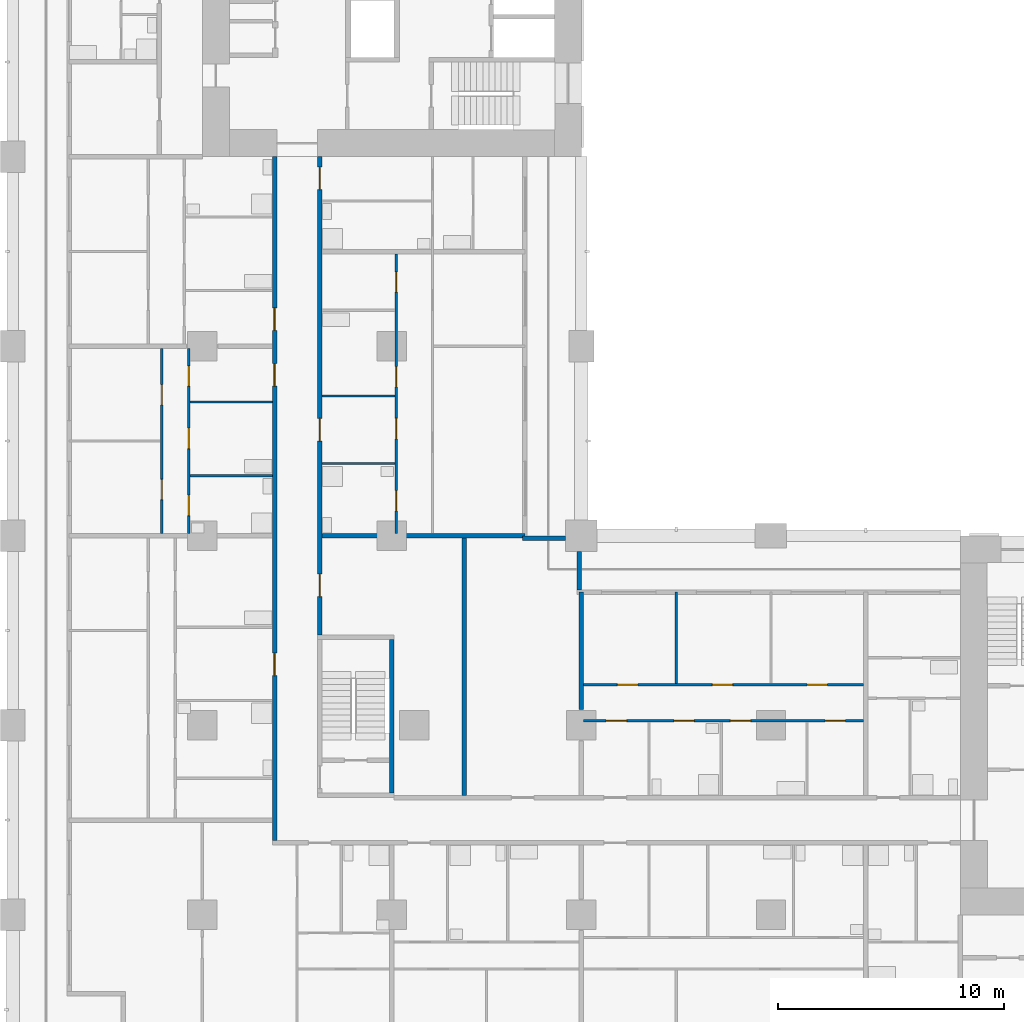
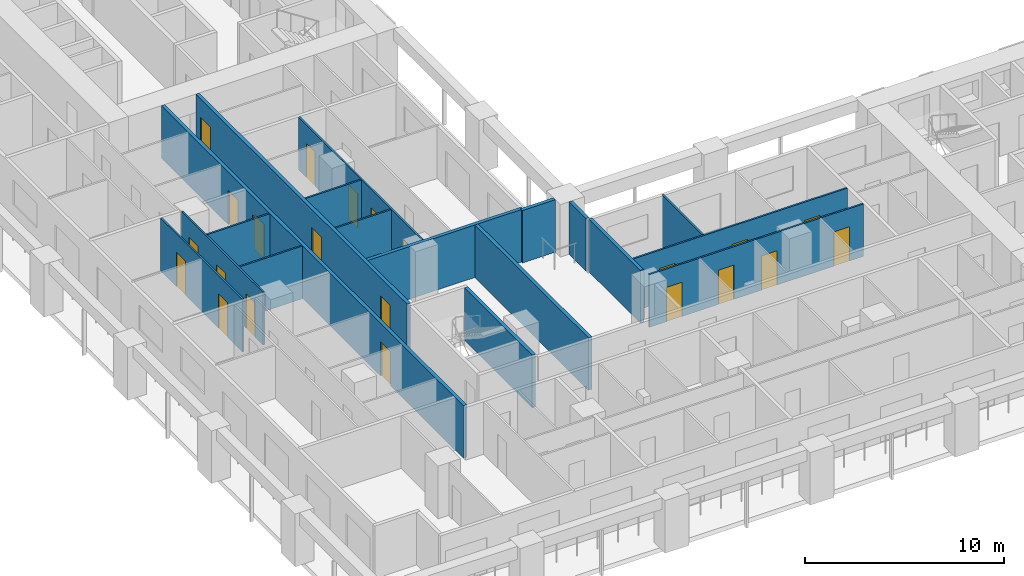
# One storey, part 4 of 19: 22 doors, 18 walls, 22 openings.
"""IFC4 building model written with IfcOpenShell, lengths in metres."""

from ifc_helpers import new_model, si_unit, direction, frame, frame_2d, origin, place, context, subcontext, project, spatial, rectangle, extrude, material, layer, layer_set, type_object, element, fill, save


model = new_model("IFC4")

# Units and contexts
model_context = context("Model", 3, precision=1e-05, world=origin(), true_north=direction((0.0, 1.0)))
body_context = subcontext(model_context, "Body", "Model", "MODEL_VIEW")
ifc_project = project(units=[si_unit("LENGTHUNIT", "METRE"), si_unit("AREAUNIT", "SQUARE_METRE"), si_unit("VOLUMEUNIT", "CUBIC_METRE"), si_unit("PLANEANGLEUNIT", "RADIAN"), si_unit("MASSUNIT", "GRAM", prefix="KILO")], contexts=[model_context])

# Site, building, storey
site_placement = place(None, origin())
site = spatial("IfcSite", under=ifc_project, at=site_placement, CompositionType="ELEMENT")
building_placement = place(site_placement, origin())
building = spatial("IfcBuilding", under=site, at=building_placement, Name="Vermilion Gate Residences", CompositionType="ELEMENT")
storey_placement = place(building_placement, frame((0.0, 0.0, 46.199951171875)))
storey = spatial("IfcBuildingStorey", under=building, at=storey_placement, Name="L10", CompositionType="ELEMENT", Elevation=46.199951171875)

# Walls
ifc_material_1 = material(Name="Insulated steel stud wall with terracotta rainscreen", Category="masonry")
ifc_layer_1 = layer(ifc_material_1, 0.199951171875)
ifc_layer_set_1 = layer_set([ifc_layer_1], Name="EXTERNAL WALL 200 TERRACOTTA RAINSCREEN")
wall_type_1 = type_object("IfcWallType", Name="EXTERNAL WALL 200 TERRACOTTA RAINSCREEN", PredefinedType="SOLIDWALL", material=ifc_layer_set_1)
wall_1_placement = place(storey_placement, frame((25.10009765625, 22.800048828125, 0.0), z_axis=(0.0, 0.0, 1.0), x_axis=(0.0, 1.0, 0.0)))
element("IfcWall", 1, at=wall_1_placement, inside=storey, type_object=wall_type_1, Name="External wall", PredefinedType="SOLIDWALL", context=body_context, shape_type="SweptSolid", body=[
    extrude(rectangle(XDim=1.699951171875, YDim=0.199951171875, at=frame_2d((0.85009765625, 0.0))), origin(), (0.0, 0.0, 1.0), 3.219970703125),
])
wall_2_placement = place(storey_placement, frame((24.5, 25.10009765625, 0.0), z_axis=(0.0, 0.0, 1.0), x_axis=(-1.0, 0.0, 0.0)))
element("IfcWall", 2, at=wall_2_placement, inside=storey, type_object=wall_type_1, Name="External wall", PredefinedType="SOLIDWALL", context=body_context, shape_type="SweptSolid", body=[
    extrude(rectangle(XDim=1.89990234375, YDim=0.199951171875, at=frame_2d((0.949951171875, 0.0))), origin(), (0.0, 0.0, 1.0), 3.219970703125),
])

# Wall, openings, doors
ifc_material_2 = material(Name="Plasterboard on steel studs", Category="steel")
ifc_layer_2 = layer(ifc_material_2, 0.10009765625)
ifc_layer_set_2 = layer_set([ifc_layer_2], Name="PARTITION 100")
wall_type_2 = type_object("IfcWallType", Name="PARTITION 100", PredefinedType="PARTITIONING", material=ifc_layer_set_2)
wall_3_placement = place(storey_placement, frame((25.300048828125, 17.0, 0.0), z_axis=(0.0, 0.0, 1.0), x_axis=(1.0, 0.0, 0.0)))
wall_3 = element("IfcWall", 3, at=wall_3_placement, inside=storey, type_object=wall_type_2, Name="Partition", PredefinedType="PARTITIONING", context=body_context, shape_type="SweptSolid", body=[
    extrude(rectangle(XDim=12.39990234375, YDim=0.10009765625, at=frame_2d((6.199951171875, 0.0))), origin(), (0.0, 0.0, 1.0), 3.219970703125),
])
opening_1_placement = place(wall_3_placement, frame((1.0, 0.0, 0.0)))
opening_1 = element("IfcOpeningElement", 4, at=opening_1_placement, cuts=wall_3, Name="Opening DA10032", PredefinedType="OPENING", context=body_context, shape_type="SweptSolid", body=[
    extrude(rectangle(XDim=0.89990234375, YDim=2.10009765625, at=frame_2d((0.449951171875, 1.050048828125))), frame((0.0, 0.06005859375, 0.0), z_axis=(0.0, -1.0, 0.0), x_axis=(1.0, 0.0, 0.0)), (0.0, 0.0, 1.0), 0.1201171875),
])
opening_2_placement = place(wall_3_placement, frame((4.0, 0.0, 0.0)))
opening_2 = element("IfcOpeningElement", 5, at=opening_2_placement, cuts=wall_3, Name="Opening DA10033", PredefinedType="OPENING", context=body_context, shape_type="SweptSolid", body=[
    extrude(rectangle(XDim=0.89990234375, YDim=2.10009765625, at=frame_2d((0.449951171875, 1.050048828125))), frame((0.0, 0.06005859375, 0.0), z_axis=(0.0, -1.0, 0.0), x_axis=(1.0, 0.0, 0.0)), (0.0, 0.0, 1.0), 0.1201171875),
])
opening_3_placement = place(wall_3_placement, frame((6.5, 0.0, 0.0)))
opening_3 = element("IfcOpeningElement", 6, at=opening_3_placement, cuts=wall_3, Name="Opening DA10034", PredefinedType="OPENING", context=body_context, shape_type="SweptSolid", body=[
    extrude(rectangle(XDim=0.89990234375, YDim=2.10009765625, at=frame_2d((0.449951171875, 1.050048828125))), frame((0.0, 0.06005859375, 0.0), z_axis=(0.0, -1.0, 0.0), x_axis=(1.0, 0.0, 0.0)), (0.0, 0.0, 1.0), 0.1201171875),
])
opening_4_placement = place(wall_3_placement, frame((10.699951171875, 0.0, 0.0)))
opening_4 = element("IfcOpeningElement", 7, at=opening_4_placement, cuts=wall_3, Name="Opening DA10035", PredefinedType="OPENING", context=body_context, shape_type="SweptSolid", body=[
    extrude(rectangle(XDim=0.89990234375, YDim=2.10009765625, at=frame_2d((0.449951171875, 1.050048828125))), frame((0.0, 0.06005859375, 0.0), z_axis=(0.0, -1.0, 0.0), x_axis=(1.0, 0.0, 0.0)), (0.0, 0.0, 1.0), 0.1201171875),
])
ifc_material_3 = material(Name="Timber", Category="wood")
door_type_1 = type_object("IfcDoorType", Name="INTERIOR DOOR 900 X 2100", OperationType="SINGLE_SWING_LEFT", PredefinedType="DOOR", material=ifc_material_3)
door_1_placement = place(opening_1_placement, frame((0.89990234375, 0.0, 0.0), z_axis=(0.0, 0.0, 1.0), x_axis=(-1.0, 0.0, 0.0)))
door_1 = element("IfcDoor", 8, at=door_1_placement, inside=storey, type_object=door_type_1, Name="Interior door", OperationType="SINGLE_SWING_RIGHT", OverallHeight=2.10009765625, OverallWidth=0.89990234375, PredefinedType="DOOR", context=body_context, shape_type="SweptSolid", body=[
    extrude(rectangle(XDim=0.89990234375, YDim=2.10009765625, at=frame_2d((0.449951171875, 1.050048828125))), frame((0.0, 0.02490234375, 0.0), z_axis=(0.0, -1.0, 0.0), x_axis=(1.0, 0.0, 0.0)), (0.0, 0.0, 1.0), 0.050048828125),
])
fill(opening_1, door_1)
door_2_placement = place(opening_2_placement, frame((0.89990234375, 0.0, 0.0), z_axis=(0.0, 0.0, 1.0), x_axis=(-1.0, 0.0, 0.0)))
door_2 = element("IfcDoor", 9, at=door_2_placement, inside=storey, type_object=door_type_1, Name="Interior door", OperationType="SINGLE_SWING_LEFT", OverallHeight=2.10009765625, OverallWidth=0.89990234375, PredefinedType="DOOR", context=body_context, shape_type="SweptSolid", body=[
    extrude(rectangle(XDim=0.89990234375, YDim=2.10009765625, at=frame_2d((0.449951171875, 1.050048828125))), frame((0.0, 0.02490234375, 0.0), z_axis=(0.0, -1.0, 0.0), x_axis=(1.0, 0.0, 0.0)), (0.0, 0.0, 1.0), 0.050048828125),
])
fill(opening_2, door_2)
door_3_placement = place(opening_3_placement, frame((0.89990234375, 0.0, 0.0), z_axis=(0.0, 0.0, 1.0), x_axis=(-1.0, 0.0, 0.0)))
door_3 = element("IfcDoor", 10, at=door_3_placement, inside=storey, type_object=door_type_1, Name="Interior door", OperationType="SINGLE_SWING_LEFT", OverallHeight=2.10009765625, OverallWidth=0.89990234375, PredefinedType="DOOR", context=body_context, shape_type="SweptSolid", body=[
    extrude(rectangle(XDim=0.89990234375, YDim=2.10009765625, at=frame_2d((0.449951171875, 1.050048828125))), frame((0.0, 0.02490234375, 0.0), z_axis=(0.0, -1.0, 0.0), x_axis=(1.0, 0.0, 0.0)), (0.0, 0.0, 1.0), 0.050048828125),
])
fill(opening_3, door_3)
door_4_placement = place(opening_4_placement, frame((0.89990234375, 0.0, 0.0), z_axis=(0.0, 0.0, 1.0), x_axis=(-1.0, 0.0, 0.0)))
door_4 = element("IfcDoor", 11, at=door_4_placement, inside=storey, type_object=door_type_1, Name="Interior door", OperationType="SINGLE_SWING_RIGHT", OverallHeight=2.10009765625, OverallWidth=0.89990234375, PredefinedType="DOOR", context=body_context, shape_type="SweptSolid", body=[
    extrude(rectangle(XDim=0.89990234375, YDim=2.10009765625, at=frame_2d((0.449951171875, 1.050048828125))), frame((0.0, 0.02490234375, 0.0), z_axis=(0.0, -1.0, 0.0), x_axis=(1.0, 0.0, 0.0)), (0.0, 0.0, 1.0), 0.050048828125),
])
fill(opening_4, door_4)

wall_4_placement = place(storey_placement, frame((25.300048828125, 18.60009765625, 0.0), z_axis=(0.0, 0.0, 1.0), x_axis=(1.0, 0.0, 0.0)))
wall_4 = element("IfcWall", 12, at=wall_4_placement, inside=storey, type_object=wall_type_2, Name="Partition", PredefinedType="PARTITIONING", context=body_context, shape_type="SweptSolid", body=[
    extrude(rectangle(XDim=12.39990234375, YDim=0.10009765625, at=frame_2d((6.199951171875, 0.0))), origin(), (0.0, 0.0, 1.0), 3.219970703125),
])
opening_5_placement = place(wall_4_placement, frame((1.5, 0.0, 0.0)))
opening_5 = element("IfcOpeningElement", 13, at=opening_5_placement, cuts=wall_4, Name="Opening DA10038", PredefinedType="OPENING", context=body_context, shape_type="SweptSolid", body=[
    extrude(rectangle(XDim=0.89990234375, YDim=2.10009765625, at=frame_2d((0.449951171875, 1.050048828125))), frame((0.0, 0.06005859375, 0.0), z_axis=(0.0, -1.0, 0.0), x_axis=(1.0, 0.0, 0.0)), (0.0, 0.0, 1.0), 0.1201171875),
])
opening_6_placement = place(wall_4_placement, frame((5.699951171875, 0.0, 0.0)))
opening_6 = element("IfcOpeningElement", 14, at=opening_6_placement, cuts=wall_4, Name="Opening DA10039", PredefinedType="OPENING", context=body_context, shape_type="SweptSolid", body=[
    extrude(rectangle(XDim=0.89990234375, YDim=2.10009765625, at=frame_2d((0.449951171875, 1.050048828125))), frame((0.0, 0.06005859375, 0.0), z_axis=(0.0, -1.0, 0.0), x_axis=(1.0, 0.0, 0.0)), (0.0, 0.0, 1.0), 0.1201171875),
])
opening_7_placement = place(wall_4_placement, frame((9.89990234375, 0.0, 0.0)))
opening_7 = element("IfcOpeningElement", 15, at=opening_7_placement, cuts=wall_4, Name="Opening DA10040", PredefinedType="OPENING", context=body_context, shape_type="SweptSolid", body=[
    extrude(rectangle(XDim=0.89990234375, YDim=2.10009765625, at=frame_2d((0.449951171875, 1.050048828125))), frame((0.0, 0.06005859375, 0.0), z_axis=(0.0, -1.0, 0.0), x_axis=(1.0, 0.0, 0.0)), (0.0, 0.0, 1.0), 0.1201171875),
])
door_5_placement = place(opening_5_placement, origin())
door_5 = element("IfcDoor", 16, at=door_5_placement, inside=storey, type_object=door_type_1, Name="Interior door", OperationType="SINGLE_SWING_LEFT", OverallHeight=2.10009765625, OverallWidth=0.89990234375, PredefinedType="DOOR", context=body_context, shape_type="SweptSolid", body=[
    extrude(rectangle(XDim=0.89990234375, YDim=2.10009765625, at=frame_2d((0.449951171875, 1.050048828125))), frame((0.0, 0.02490234375, 0.0), z_axis=(0.0, -1.0, 0.0), x_axis=(1.0, 0.0, 0.0)), (0.0, 0.0, 1.0), 0.050048828125),
])
fill(opening_5, door_5)
door_6_placement = place(opening_6_placement, origin())
door_6 = element("IfcDoor", 17, at=door_6_placement, inside=storey, type_object=door_type_1, Name="Interior door", OperationType="SINGLE_SWING_LEFT", OverallHeight=2.10009765625, OverallWidth=0.89990234375, PredefinedType="DOOR", context=body_context, shape_type="SweptSolid", body=[
    extrude(rectangle(XDim=0.89990234375, YDim=2.10009765625, at=frame_2d((0.449951171875, 1.050048828125))), frame((0.0, 0.02490234375, 0.0), z_axis=(0.0, -1.0, 0.0), x_axis=(1.0, 0.0, 0.0)), (0.0, 0.0, 1.0), 0.050048828125),
])
fill(opening_6, door_6)
door_7_placement = place(opening_7_placement, origin())
door_7 = element("IfcDoor", 18, at=door_7_placement, inside=storey, type_object=door_type_1, Name="Interior door", OperationType="SINGLE_SWING_LEFT", OverallHeight=2.10009765625, OverallWidth=0.89990234375, PredefinedType="DOOR", context=body_context, shape_type="SweptSolid", body=[
    extrude(rectangle(XDim=0.89990234375, YDim=2.10009765625, at=frame_2d((0.449951171875, 1.050048828125))), frame((0.0, 0.02490234375, 0.0), z_axis=(0.0, -1.0, 0.0), x_axis=(1.0, 0.0, 0.0)), (0.0, 0.0, 1.0), 0.050048828125),
])
fill(opening_7, door_7)

# Walls
wall_5_placement = place(storey_placement, frame((7.85009765625, 27.866943359375, 0.0), z_axis=(0.0, 0.0, 1.0), x_axis=(1.0, 0.0, 0.0)))
element("IfcWall", 19, at=wall_5_placement, inside=storey, type_object=wall_type_2, Name="Partition", PredefinedType="PARTITIONING", context=body_context, shape_type="SweptSolid", body=[
    extrude(rectangle(XDim=3.64990234375, YDim=0.10009765625, at=frame_2d((1.824951171875, 0.0))), origin(), (0.0, 0.0, 1.0), 3.219970703125),
])
wall_6_placement = place(storey_placement, frame((13.699951171875, 28.39990234375, 0.0), z_axis=(0.0, 0.0, 1.0), x_axis=(1.0, 0.0, 0.0)))
element("IfcWall", 20, at=wall_6_placement, inside=storey, type_object=wall_type_2, Name="Partition", PredefinedType="PARTITIONING", context=body_context, shape_type="SweptSolid", body=[
    extrude(rectangle(XDim=3.25, YDim=0.10009765625, at=frame_2d((1.625, 0.0))), origin(), (0.0, 0.0, 1.0), 3.219970703125),
])
wall_7_placement = place(storey_placement, frame((7.85009765625, 31.133056640625, 0.0), z_axis=(0.0, 0.0, 1.0), x_axis=(1.0, 0.0, 0.0)))
element("IfcWall", 21, at=wall_7_placement, inside=storey, type_object=wall_type_2, Name="Partition", PredefinedType="PARTITIONING", context=body_context, shape_type="SweptSolid", body=[
    extrude(rectangle(XDim=3.64990234375, YDim=0.10009765625, at=frame_2d((1.824951171875, 0.0))), origin(), (0.0, 0.0, 1.0), 3.219970703125),
])
wall_8_placement = place(storey_placement, frame((13.699951171875, 31.39990234375, 0.0), z_axis=(0.0, 0.0, 1.0), x_axis=(1.0, 0.0, 0.0)))
element("IfcWall", 22, at=wall_8_placement, inside=storey, type_object=wall_type_2, Name="Partition", PredefinedType="PARTITIONING", context=body_context, shape_type="SweptSolid", body=[
    extrude(rectangle(XDim=3.25, YDim=0.10009765625, at=frame_2d((1.625, 0.0))), origin(), (0.0, 0.0, 1.0), 3.219970703125),
])

# Wall, openings, doors
wall_9_placement = place(storey_placement, frame((6.60009765625, 25.300048828125, 0.0), z_axis=(0.0, 0.0, 1.0), x_axis=(0.0, 1.0, 0.0)))
wall_9 = element("IfcWall", 23, at=wall_9_placement, inside=storey, type_object=wall_type_2, Name="Partition", PredefinedType="PARTITIONING", context=body_context, shape_type="SweptSolid", body=[
    extrude(rectangle(XDim=8.199951171875, YDim=0.10009765625, at=frame_2d((4.10009765625, 0.0))), origin(), (0.0, 0.0, 1.0), 3.219970703125),
])
opening_8_placement = place(wall_9_placement, frame((1.5, 0.0, 0.0)))
opening_8 = element("IfcOpeningElement", 24, at=opening_8_placement, cuts=wall_9, Name="Opening DA10051", PredefinedType="OPENING", context=body_context, shape_type="SweptSolid", body=[
    extrude(rectangle(XDim=0.89990234375, YDim=2.10009765625, at=frame_2d((0.449951171875, 1.050048828125))), frame((0.0, 0.06005859375, 0.0), z_axis=(0.0, -1.0, 0.0), x_axis=(1.0, 0.0, 0.0)), (0.0, 0.0, 1.0), 0.1201171875),
])
opening_9_placement = place(wall_9_placement, frame((5.699951171875, 0.0, 0.0)))
opening_9 = element("IfcOpeningElement", 25, at=opening_9_placement, cuts=wall_9, Name="Opening DA10052", PredefinedType="OPENING", context=body_context, shape_type="SweptSolid", body=[
    extrude(rectangle(XDim=0.89990234375, YDim=2.10009765625, at=frame_2d((0.449951171875, 1.050048828125))), frame((0.0, 0.06005859375, 0.0), z_axis=(0.0, -1.0, 0.0), x_axis=(1.0, 0.0, 0.0)), (0.0, 0.0, 1.0), 0.1201171875),
])
door_8_placement = place(opening_8_placement, origin())
door_8 = element("IfcDoor", 26, at=door_8_placement, inside=storey, type_object=door_type_1, Name="Interior door", OperationType="SINGLE_SWING_LEFT", OverallHeight=2.10009765625, OverallWidth=0.89990234375, PredefinedType="DOOR", context=body_context, shape_type="SweptSolid", body=[
    extrude(rectangle(XDim=0.89990234375, YDim=2.10009765625, at=frame_2d((0.449951171875, 1.050048828125))), frame((0.0, 0.02490234375, 0.0), z_axis=(0.0, -1.0, 0.0), x_axis=(1.0, 0.0, 0.0)), (0.0, 0.0, 1.0), 0.050048828125),
])
fill(opening_8, door_8)
door_9_placement = place(opening_9_placement, origin())
door_9 = element("IfcDoor", 27, at=door_9_placement, inside=storey, type_object=door_type_1, Name="Interior door", OperationType="SINGLE_SWING_LEFT", OverallHeight=2.10009765625, OverallWidth=0.89990234375, PredefinedType="DOOR", context=body_context, shape_type="SweptSolid", body=[
    extrude(rectangle(XDim=0.89990234375, YDim=2.10009765625, at=frame_2d((0.449951171875, 1.050048828125))), frame((0.0, 0.02490234375, 0.0), z_axis=(0.0, -1.0, 0.0), x_axis=(1.0, 0.0, 0.0)), (0.0, 0.0, 1.0), 0.050048828125),
])
fill(opening_9, door_9)

wall_10_placement = place(storey_placement, frame((7.800048828125, 25.300048828125, 0.0), z_axis=(0.0, 0.0, 1.0), x_axis=(0.0, 1.0, 0.0)))
wall_10 = element("IfcWall", 28, at=wall_10_placement, inside=storey, type_object=wall_type_2, Name="Partition", PredefinedType="PARTITIONING", context=body_context, shape_type="SweptSolid", body=[
    extrude(rectangle(XDim=8.199951171875, YDim=0.10009765625, at=frame_2d((4.10009765625, 0.0))), origin(), (0.0, 0.0, 1.0), 3.219970703125),
])
opening_10_placement = place(wall_10_placement, frame((6.532958984375, 0.0, 0.0)))
opening_10 = element("IfcOpeningElement", 29, at=opening_10_placement, cuts=wall_10, Name="Opening DA10060", PredefinedType="OPENING", context=body_context, shape_type="SweptSolid", body=[
    extrude(rectangle(XDim=0.89990234375, YDim=2.10009765625, at=frame_2d((0.449951171875, 1.050048828125))), frame((0.0, 0.06005859375, 0.0), z_axis=(0.0, -1.0, 0.0), x_axis=(1.0, 0.0, 0.0)), (0.0, 0.0, 1.0), 0.1201171875),
])
opening_11_placement = place(wall_10_placement, frame((0.800048828125, 0.0, 0.0)))
opening_11 = element("IfcOpeningElement", 30, at=opening_11_placement, cuts=wall_10, Name="Opening DA10061", PredefinedType="OPENING", context=body_context, shape_type="SweptSolid", body=[
    extrude(rectangle(XDim=0.89990234375, YDim=2.10009765625, at=frame_2d((0.449951171875, 1.050048828125))), frame((0.0, 0.06005859375, 0.0), z_axis=(0.0, -1.0, 0.0), x_axis=(1.0, 0.0, 0.0)), (0.0, 0.0, 1.0), 0.1201171875),
])
opening_12_placement = place(wall_10_placement, frame((3.76708984375, 0.0, 0.0)))
opening_12 = element("IfcOpeningElement", 31, at=opening_12_placement, cuts=wall_10, Name="Opening DA10062", PredefinedType="OPENING", context=body_context, shape_type="SweptSolid", body=[
    extrude(rectangle(XDim=0.89990234375, YDim=2.10009765625, at=frame_2d((0.449951171875, 1.050048828125))), frame((0.0, 0.06005859375, 0.0), z_axis=(0.0, -1.0, 0.0), x_axis=(1.0, 0.0, 0.0)), (0.0, 0.0, 1.0), 0.1201171875),
])
door_10_placement = place(opening_10_placement, frame((0.89990234375, 0.0, 0.0), z_axis=(0.0, 0.0, 1.0), x_axis=(-1.0, 0.0, 0.0)))
door_10 = element("IfcDoor", 32, at=door_10_placement, inside=storey, type_object=door_type_1, Name="Interior door", OperationType="SINGLE_SWING_LEFT", OverallHeight=2.10009765625, OverallWidth=0.89990234375, PredefinedType="DOOR", context=body_context, shape_type="SweptSolid", body=[
    extrude(rectangle(XDim=0.89990234375, YDim=2.10009765625, at=frame_2d((0.449951171875, 1.050048828125))), frame((0.0, 0.02490234375, 0.0), z_axis=(0.0, -1.0, 0.0), x_axis=(1.0, 0.0, 0.0)), (0.0, 0.0, 1.0), 0.050048828125),
])
fill(opening_10, door_10)
door_11_placement = place(opening_11_placement, frame((0.89990234375, 0.0, 0.0), z_axis=(0.0, 0.0, 1.0), x_axis=(-1.0, 0.0, 0.0)))
door_11 = element("IfcDoor", 33, at=door_11_placement, inside=storey, type_object=door_type_1, Name="Interior door", OperationType="SINGLE_SWING_RIGHT", OverallHeight=2.10009765625, OverallWidth=0.89990234375, PredefinedType="DOOR", context=body_context, shape_type="SweptSolid", body=[
    extrude(rectangle(XDim=0.89990234375, YDim=2.10009765625, at=frame_2d((0.449951171875, 1.050048828125))), frame((0.0, 0.02490234375, 0.0), z_axis=(0.0, -1.0, 0.0), x_axis=(1.0, 0.0, 0.0)), (0.0, 0.0, 1.0), 0.050048828125),
])
fill(opening_11, door_11)
door_12_placement = place(opening_12_placement, frame((0.89990234375, 0.0, 0.0), z_axis=(0.0, 0.0, 1.0), x_axis=(-1.0, 0.0, 0.0)))
door_12 = element("IfcDoor", 34, at=door_12_placement, inside=storey, type_object=door_type_1, Name="Interior door", OperationType="SINGLE_SWING_LEFT", OverallHeight=2.10009765625, OverallWidth=0.89990234375, PredefinedType="DOOR", context=body_context, shape_type="SweptSolid", body=[
    extrude(rectangle(XDim=0.89990234375, YDim=2.10009765625, at=frame_2d((0.449951171875, 1.050048828125))), frame((0.0, 0.02490234375, 0.0), z_axis=(0.0, -1.0, 0.0), x_axis=(1.0, 0.0, 0.0)), (0.0, 0.0, 1.0), 0.050048828125),
])
fill(opening_12, door_12)

wall_11_placement = place(storey_placement, frame((17.0, 25.300048828125, 0.0), z_axis=(0.0, 0.0, 1.0), x_axis=(0.0, 1.0, 0.0)))
wall_11 = element("IfcWall", 35, at=wall_11_placement, inside=storey, type_object=wall_type_2, Name="Partition", PredefinedType="PARTITIONING", context=body_context, shape_type="SweptSolid", body=[
    extrude(rectangle(XDim=12.39990234375, YDim=0.10009765625, at=frame_2d((6.199951171875, 0.0))), origin(), (0.0, 0.0, 1.0), 3.219970703125),
])
opening_13_placement = place(wall_11_placement, frame((4.199951171875, 0.0, 0.0)))
opening_13 = element("IfcOpeningElement", 36, at=opening_13_placement, cuts=wall_11, Name="Opening DA10071", PredefinedType="OPENING", context=body_context, shape_type="SweptSolid", body=[
    extrude(rectangle(XDim=0.89990234375, YDim=2.10009765625, at=frame_2d((0.449951171875, 1.050048828125))), frame((0.0, 0.06005859375, 0.0), z_axis=(0.0, -1.0, 0.0), x_axis=(1.0, 0.0, 0.0)), (0.0, 0.0, 1.0), 0.1201171875),
])
opening_14_placement = place(wall_11_placement, frame((1.0, 0.0, 0.0)))
opening_14 = element("IfcOpeningElement", 37, at=opening_14_placement, cuts=wall_11, Name="Opening DA10072", PredefinedType="OPENING", context=body_context, shape_type="SweptSolid", body=[
    extrude(rectangle(XDim=0.89990234375, YDim=2.10009765625, at=frame_2d((0.449951171875, 1.050048828125))), frame((0.0, 0.06005859375, 0.0), z_axis=(0.0, -1.0, 0.0), x_axis=(1.0, 0.0, 0.0)), (0.0, 0.0, 1.0), 0.1201171875),
])
opening_15_placement = place(wall_11_placement, frame((6.5, 0.0, 0.0)))
opening_15 = element("IfcOpeningElement", 38, at=opening_15_placement, cuts=wall_11, Name="Opening DA10073", PredefinedType="OPENING", context=body_context, shape_type="SweptSolid", body=[
    extrude(rectangle(XDim=0.89990234375, YDim=2.10009765625, at=frame_2d((0.449951171875, 1.050048828125))), frame((0.0, 0.06005859375, 0.0), z_axis=(0.0, -1.0, 0.0), x_axis=(1.0, 0.0, 0.0)), (0.0, 0.0, 1.0), 0.1201171875),
])
opening_16_placement = place(wall_11_placement, frame((10.699951171875, 0.0, 0.0)))
opening_16 = element("IfcOpeningElement", 39, at=opening_16_placement, cuts=wall_11, Name="Opening DA10074", PredefinedType="OPENING", context=body_context, shape_type="SweptSolid", body=[
    extrude(rectangle(XDim=0.89990234375, YDim=2.10009765625, at=frame_2d((0.449951171875, 1.050048828125))), frame((0.0, 0.06005859375, 0.0), z_axis=(0.0, -1.0, 0.0), x_axis=(1.0, 0.0, 0.0)), (0.0, 0.0, 1.0), 0.1201171875),
])
door_13_placement = place(opening_13_placement, origin())
door_13 = element("IfcDoor", 40, at=door_13_placement, inside=storey, type_object=door_type_1, Name="Interior door", OperationType="SINGLE_SWING_RIGHT", OverallHeight=2.10009765625, OverallWidth=0.89990234375, PredefinedType="DOOR", context=body_context, shape_type="SweptSolid", body=[
    extrude(rectangle(XDim=0.89990234375, YDim=2.10009765625, at=frame_2d((0.449951171875, 1.050048828125))), frame((0.0, 0.02490234375, 0.0), z_axis=(0.0, -1.0, 0.0), x_axis=(1.0, 0.0, 0.0)), (0.0, 0.0, 1.0), 0.050048828125),
])
fill(opening_13, door_13)
door_14_placement = place(opening_14_placement, origin())
door_14 = element("IfcDoor", 41, at=door_14_placement, inside=storey, type_object=door_type_1, Name="Interior door", OperationType="SINGLE_SWING_LEFT", OverallHeight=2.10009765625, OverallWidth=0.89990234375, PredefinedType="DOOR", context=body_context, shape_type="SweptSolid", body=[
    extrude(rectangle(XDim=0.89990234375, YDim=2.10009765625, at=frame_2d((0.449951171875, 1.050048828125))), frame((0.0, 0.02490234375, 0.0), z_axis=(0.0, -1.0, 0.0), x_axis=(1.0, 0.0, 0.0)), (0.0, 0.0, 1.0), 0.050048828125),
])
fill(opening_14, door_14)
door_15_placement = place(opening_15_placement, origin())
door_15 = element("IfcDoor", 42, at=door_15_placement, inside=storey, type_object=door_type_1, Name="Interior door", OperationType="SINGLE_SWING_RIGHT", OverallHeight=2.10009765625, OverallWidth=0.89990234375, PredefinedType="DOOR", context=body_context, shape_type="SweptSolid", body=[
    extrude(rectangle(XDim=0.89990234375, YDim=2.10009765625, at=frame_2d((0.449951171875, 1.050048828125))), frame((0.0, 0.02490234375, 0.0), z_axis=(0.0, -1.0, 0.0), x_axis=(1.0, 0.0, 0.0)), (0.0, 0.0, 1.0), 0.050048828125),
])
fill(opening_15, door_15)
door_16_placement = place(opening_16_placement, origin())
door_16 = element("IfcDoor", 43, at=door_16_placement, inside=storey, type_object=door_type_1, Name="Interior door", OperationType="SINGLE_SWING_LEFT", OverallHeight=2.10009765625, OverallWidth=0.89990234375, PredefinedType="DOOR", context=body_context, shape_type="SweptSolid", body=[
    extrude(rectangle(XDim=0.89990234375, YDim=2.10009765625, at=frame_2d((0.449951171875, 1.050048828125))), frame((0.0, 0.02490234375, 0.0), z_axis=(0.0, -1.0, 0.0), x_axis=(1.0, 0.0, 0.0)), (0.0, 0.0, 1.0), 0.050048828125),
])
fill(opening_16, door_16)

# Walls
wall_12_placement = place(storey_placement, frame((29.39990234375, 18.64990234375, 0.0), z_axis=(0.0, 0.0, 1.0), x_axis=(0.0, 1.0, 0.0)))
element("IfcWall", 44, at=wall_12_placement, inside=storey, type_object=wall_type_2, Name="Partition", PredefinedType="PARTITIONING", context=body_context, shape_type="SweptSolid", body=[
    extrude(rectangle(XDim=4.050048828125, YDim=0.10009765625, at=frame_2d((2.02490234375, 0.0))), origin(), (0.0, 0.0, 1.0), 3.219970703125),
])
ifc_material_4 = material(Name="Fire-rated plasterboard on steel studs", Category="steel")
ifc_layer_3 = layer(ifc_material_4, 0.199951171875)
ifc_layer_set_3 = layer_set([ifc_layer_3], Name="PARTY WALL 200 EI 120")
wall_type_3 = type_object("IfcWallType", Name="PARTY WALL 200 EI 120", PredefinedType="PARTITIONING", material=ifc_layer_set_3)
wall_13_placement = place(storey_placement, frame((13.699951171875, 25.199951171875, 0.0), z_axis=(0.0, 0.0, 1.0), x_axis=(1.0, 0.0, 0.0)))
element("IfcWall", 45, at=wall_13_placement, inside=storey, type_object=wall_type_3, Name="Party and corridor wall", PredefinedType="PARTITIONING", context=body_context, shape_type="SweptSolid", body=[
    extrude(rectangle(XDim=9.0, YDim=0.199951171875, at=frame_2d((4.5, 0.0))), origin(), (0.0, 0.0, 1.0), 3.219970703125),
])

# Wall, openings, doors
wall_14_placement = place(storey_placement, frame((11.60009765625, 11.699951171875, 0.0), z_axis=(0.0, 0.0, 1.0), x_axis=(0.0, 1.0, 0.0)))
wall_14 = element("IfcWall", 46, at=wall_14_placement, inside=storey, type_object=wall_type_3, Name="Party and corridor wall", PredefinedType="PARTITIONING", context=body_context, shape_type="SweptSolid", body=[
    extrude(rectangle(XDim=30.300048828125, YDim=0.199951171875, at=frame_2d((15.14990234375, 0.0))), origin(), (0.0, 0.0, 1.0), 3.219970703125),
])
opening_17_placement = place(wall_14_placement, frame((7.300048828125, 0.0, 0.0)))
opening_17 = element("IfcOpeningElement", 47, at=opening_17_placement, cuts=wall_14, Name="Opening DA10064", PredefinedType="OPENING", context=body_context, shape_type="SweptSolid", body=[
    extrude(rectangle(XDim=1.0, YDim=2.10009765625, at=frame_2d((0.5, 1.050048828125))), frame((0.0, 0.10986328125, 0.0), z_axis=(0.0, -1.0, 0.0), x_axis=(1.0, 0.0, 0.0)), (0.0, 0.0, 1.0), 0.219970703125),
])
opening_18_placement = place(wall_14_placement, frame((20.133056640625, 0.0, 0.0)))
opening_18 = element("IfcOpeningElement", 48, at=opening_18_placement, cuts=wall_14, Name="Opening DA10065", PredefinedType="OPENING", context=body_context, shape_type="SweptSolid", body=[
    extrude(rectangle(XDim=1.0, YDim=2.10009765625, at=frame_2d((0.5, 1.050048828125))), frame((0.0, 0.10986328125, 0.0), z_axis=(0.0, -1.0, 0.0), x_axis=(1.0, 0.0, 0.0)), (0.0, 0.0, 1.0), 0.219970703125),
])
opening_19_placement = place(wall_14_placement, frame((22.60009765625, 0.0, 0.0)))
opening_19 = element("IfcOpeningElement", 49, at=opening_19_placement, cuts=wall_14, Name="Opening DA10066", PredefinedType="OPENING", context=body_context, shape_type="SweptSolid", body=[
    extrude(rectangle(XDim=1.0, YDim=2.10009765625, at=frame_2d((0.5, 1.050048828125))), frame((0.0, 0.10986328125, 0.0), z_axis=(0.0, -1.0, 0.0), x_axis=(1.0, 0.0, 0.0)), (0.0, 0.0, 1.0), 0.219970703125),
])
ifc_material_5 = material(Name="Steel", Category="steel")
door_type_2 = type_object("IfcDoorType", Name="ENTRANCE DOOR 1000 X 2100 FD30", OperationType="SINGLE_SWING_LEFT", PredefinedType="DOOR", material=ifc_material_5)
door_17_placement = place(opening_17_placement, origin())
door_17 = element("IfcDoor", 50, at=door_17_placement, inside=storey, type_object=door_type_2, Name="Entrance door", OperationType="SINGLE_SWING_LEFT", OverallHeight=2.10009765625, OverallWidth=1.0, PredefinedType="DOOR", context=body_context, shape_type="SweptSolid", body=[
    extrude(rectangle(XDim=1.0, YDim=2.10009765625, at=frame_2d((0.5, 1.050048828125))), frame((0.0, 0.02490234375, 0.0), z_axis=(0.0, -1.0, 0.0), x_axis=(1.0, 0.0, 0.0)), (0.0, 0.0, 1.0), 0.050048828125),
])
fill(opening_17, door_17)
door_18_placement = place(opening_18_placement, origin())
door_18 = element("IfcDoor", 51, at=door_18_placement, inside=storey, type_object=door_type_2, Name="Entrance door", OperationType="SINGLE_SWING_LEFT", OverallHeight=2.10009765625, OverallWidth=1.0, PredefinedType="DOOR", context=body_context, shape_type="SweptSolid", body=[
    extrude(rectangle(XDim=1.0, YDim=2.10009765625, at=frame_2d((0.5, 1.050048828125))), frame((0.0, 0.02490234375, 0.0), z_axis=(0.0, -1.0, 0.0), x_axis=(1.0, 0.0, 0.0)), (0.0, 0.0, 1.0), 0.050048828125),
])
fill(opening_18, door_18)
door_19_placement = place(opening_19_placement, origin())
door_19 = element("IfcDoor", 52, at=door_19_placement, inside=storey, type_object=door_type_2, Name="Entrance door", OperationType="SINGLE_SWING_LEFT", OverallHeight=2.10009765625, OverallWidth=1.0, PredefinedType="DOOR", context=body_context, shape_type="SweptSolid", body=[
    extrude(rectangle(XDim=1.0, YDim=2.10009765625, at=frame_2d((0.5, 1.050048828125))), frame((0.0, 0.02490234375, 0.0), z_axis=(0.0, -1.0, 0.0), x_axis=(1.0, 0.0, 0.0)), (0.0, 0.0, 1.0), 0.050048828125),
])
fill(opening_19, door_19)

wall_15_placement = place(storey_placement, frame((13.60009765625, 20.800048828125, 0.0), z_axis=(0.0, 0.0, 1.0), x_axis=(0.0, 1.0, 0.0)))
wall_15 = element("IfcWall", 53, at=wall_15_placement, inside=storey, type_object=wall_type_3, Name="Party and corridor wall", PredefinedType="PARTITIONING", context=body_context, shape_type="SweptSolid", body=[
    extrude(rectangle(XDim=21.199951171875, YDim=0.199951171875, at=frame_2d((10.60009765625, 0.0))), origin(), (0.0, 0.0, 1.0), 3.219970703125),
])
opening_20_placement = place(wall_15_placement, frame((8.60009765625, 0.0, 0.0)))
opening_20 = element("IfcOpeningElement", 54, at=opening_20_placement, cuts=wall_15, Name="Opening DA10068", PredefinedType="OPENING", context=body_context, shape_type="SweptSolid", body=[
    extrude(rectangle(XDim=1.0, YDim=2.10009765625, at=frame_2d((0.5, 1.050048828125))), frame((0.0, 0.10986328125, 0.0), z_axis=(0.0, -1.0, 0.0), x_axis=(1.0, 0.0, 0.0)), (0.0, 0.0, 1.0), 0.219970703125),
])
opening_21_placement = place(wall_15_placement, frame((19.739990234375, 0.0, 0.0)))
opening_21 = element("IfcOpeningElement", 55, at=opening_21_placement, cuts=wall_15, Name="Opening DA10069", PredefinedType="OPENING", context=body_context, shape_type="SweptSolid", body=[
    extrude(rectangle(XDim=1.0, YDim=2.10009765625, at=frame_2d((0.5, 1.050048828125))), frame((0.0, 0.10986328125, 0.0), z_axis=(0.0, -1.0, 0.0), x_axis=(1.0, 0.0, 0.0)), (0.0, 0.0, 1.0), 0.219970703125),
])
opening_22_placement = place(wall_15_placement, frame((1.699951171875, 0.0, 0.0)))
opening_22 = element("IfcOpeningElement", 56, at=opening_22_placement, cuts=wall_15, Name="Opening DA10070", PredefinedType="OPENING", context=body_context, shape_type="SweptSolid", body=[
    extrude(rectangle(XDim=1.0, YDim=2.10009765625, at=frame_2d((0.5, 1.050048828125))), frame((0.0, 0.10986328125, 0.0), z_axis=(0.0, -1.0, 0.0), x_axis=(1.0, 0.0, 0.0)), (0.0, 0.0, 1.0), 0.219970703125),
])
door_20_placement = place(opening_20_placement, frame((1.0, 0.0, 0.0), z_axis=(0.0, 0.0, 1.0), x_axis=(-1.0, 0.0, 0.0)))
door_20 = element("IfcDoor", 57, at=door_20_placement, inside=storey, type_object=door_type_2, Name="Entrance door", OperationType="SINGLE_SWING_RIGHT", OverallHeight=2.10009765625, OverallWidth=1.0, PredefinedType="DOOR", context=body_context, shape_type="SweptSolid", body=[
    extrude(rectangle(XDim=1.0, YDim=2.10009765625, at=frame_2d((0.5, 1.050048828125))), frame((0.0, 0.02490234375, 0.0), z_axis=(0.0, -1.0, 0.0), x_axis=(1.0, 0.0, 0.0)), (0.0, 0.0, 1.0), 0.050048828125),
])
fill(opening_20, door_20)
door_21_placement = place(opening_21_placement, frame((1.0, 0.0, 0.0), z_axis=(0.0, 0.0, 1.0), x_axis=(-1.0, 0.0, 0.0)))
door_21 = element("IfcDoor", 58, at=door_21_placement, inside=storey, type_object=door_type_2, Name="Entrance door", OperationType="SINGLE_SWING_RIGHT", OverallHeight=2.10009765625, OverallWidth=1.0, PredefinedType="DOOR", context=body_context, shape_type="SweptSolid", body=[
    extrude(rectangle(XDim=1.0, YDim=2.10009765625, at=frame_2d((0.5, 1.050048828125))), frame((0.0, 0.02490234375, 0.0), z_axis=(0.0, -1.0, 0.0), x_axis=(1.0, 0.0, 0.0)), (0.0, 0.0, 1.0), 0.050048828125),
])
fill(opening_21, door_21)
door_22_placement = place(opening_22_placement, frame((1.0, 0.0, 0.0), z_axis=(0.0, 0.0, 1.0), x_axis=(-1.0, 0.0, 0.0)))
door_22 = element("IfcDoor", 59, at=door_22_placement, inside=storey, type_object=door_type_2, Name="Entrance door", OperationType="SINGLE_SWING_LEFT", OverallHeight=2.10009765625, OverallWidth=1.0, PredefinedType="DOOR", context=body_context, shape_type="SweptSolid", body=[
    extrude(rectangle(XDim=1.0, YDim=2.10009765625, at=frame_2d((0.5, 1.050048828125))), frame((0.0, 0.02490234375, 0.0), z_axis=(0.0, -1.0, 0.0), x_axis=(1.0, 0.0, 0.0)), (0.0, 0.0, 1.0), 0.050048828125),
])
fill(opening_22, door_22)

# Walls
wall_16_placement = place(storey_placement, frame((20.0, 13.699951171875, 0.0), z_axis=(0.0, 0.0, 1.0), x_axis=(0.0, 1.0, 0.0)))
element("IfcWall", 60, at=wall_16_placement, inside=storey, type_object=wall_type_3, Name="Party and corridor wall", PredefinedType="PARTITIONING", context=body_context, shape_type="SweptSolid", body=[
    extrude(rectangle(XDim=11.400146484375, YDim=0.199951171875, at=frame_2d((5.7001953125, 0.0))), origin(), (0.0, 0.0, 1.0), 3.219970703125),
])
wall_17_placement = place(storey_placement, frame((25.199951171875, 17.5, 0.0), z_axis=(0.0, 0.0, 1.0), x_axis=(0.0, 1.0, 0.0)))
element("IfcWall", 61, at=wall_17_placement, inside=storey, type_object=wall_type_3, Name="Party and corridor wall", PredefinedType="PARTITIONING", context=body_context, shape_type="SweptSolid", body=[
    extrude(rectangle(XDim=5.199951171875, YDim=0.199951171875, at=frame_2d((2.60009765625, 0.0))), origin(), (0.0, 0.0, 1.0), 3.219970703125),
])
ifc_material_6 = material(Name="Concrete C60", Category="concrete")
ifc_layer_4 = layer(ifc_material_6, 0.199951171875)
ifc_layer_set_4 = layer_set([ifc_layer_4], Name="RC CORE INTERNAL WALL 200 C60")
wall_type_4 = type_object("IfcWallType", Name="RC CORE INTERNAL WALL 200 C60", PredefinedType="SHEAR", material=ifc_layer_set_4)
wall_18_placement = place(storey_placement, frame((16.800048828125, 13.800048828125, 0.0), z_axis=(0.0, 0.0, 1.0), x_axis=(0.0, 1.0, 0.0)))
element("IfcWall", 62, at=wall_18_placement, inside=storey, type_object=wall_type_4, Name="Core internal wall C10-E", PredefinedType="SHEAR", context=body_context, shape_type="SweptSolid", body=[
    extrude(rectangle(XDim=6.800048828125, YDim=0.199951171875, at=frame_2d((3.39990234375, 0.0))), origin(), (0.0, 0.0, 1.0), 3.219970703125),
])

save(model, "model.ifc")
